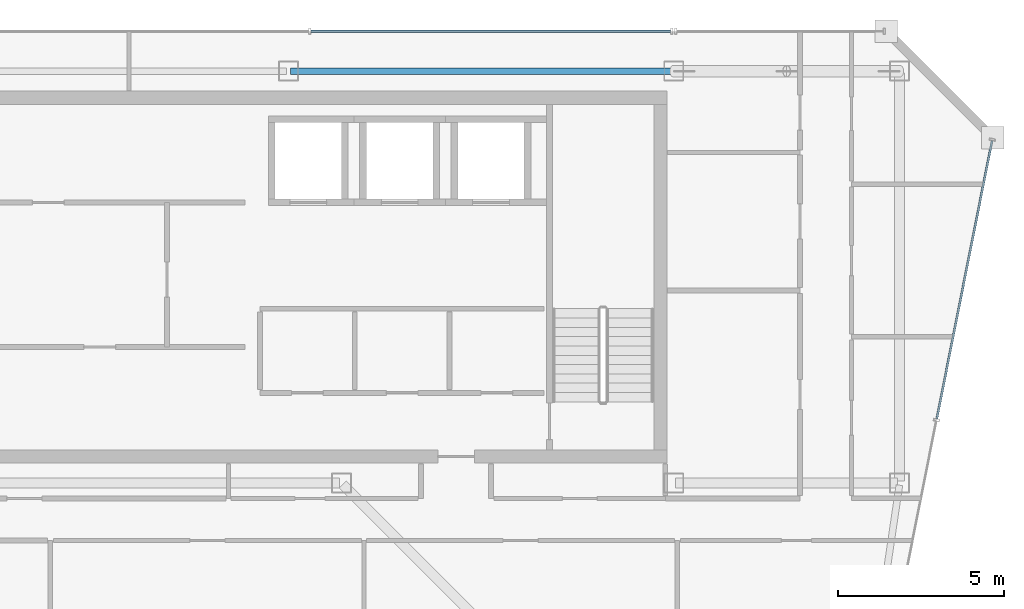
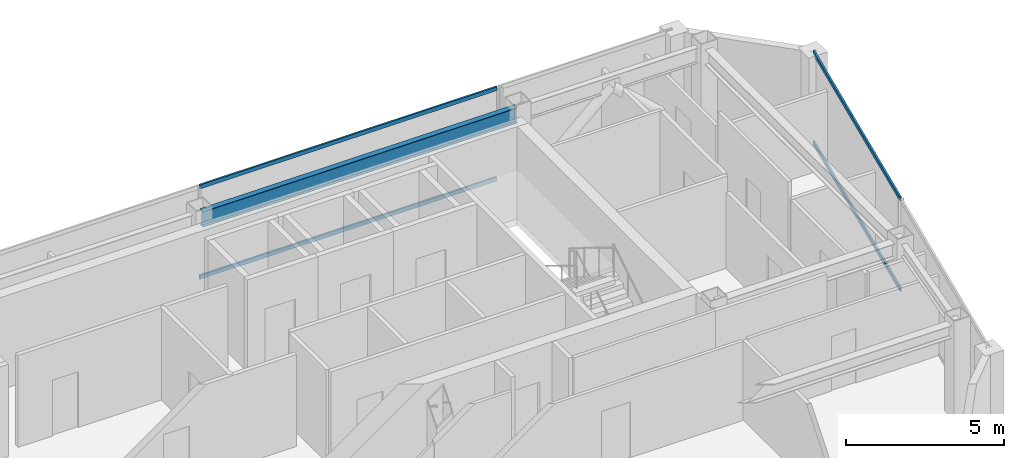
# One storey, part 15 of 24: 4 members, 1 beam, 2 elements without a shape of their own.
"""IFC4 building model written with IfcOpenShell, lengths in metres."""

from ifc_helpers import new_model, si_unit, direction, frame, origin, origin_2d, place, context, subcontext, project, spatial, hollow_rectangle, i_section, extrude, material, material_profile, profile_set, type_object, element, aggregate, save


model = new_model("IFC4")

# Units and contexts
model_context = context("Model", 3, precision=1e-05, world=origin(), true_north=direction((0.0, 1.0)))
body_context = subcontext(model_context, "Body", "Model", "MODEL_VIEW")
ifc_project = project(units=[si_unit("LENGTHUNIT", "METRE"), si_unit("AREAUNIT", "SQUARE_METRE"), si_unit("VOLUMEUNIT", "CUBIC_METRE"), si_unit("PLANEANGLEUNIT", "RADIAN"), si_unit("MASSUNIT", "GRAM", prefix="KILO")], contexts=[model_context])

# Site, building, storey
site_placement = place(None, origin())
site = spatial("IfcSite", under=ifc_project, at=site_placement, CompositionType="ELEMENT")
building_placement = place(site_placement, origin())
building = spatial("IfcBuilding", under=site, at=building_placement, Name="Saevonmaru Cultural Tower", CompositionType="ELEMENT")
storey_placement = place(building_placement, frame((0.0, 0.0, 299.0)))
storey = spatial("IfcBuildingStorey", under=building, at=storey_placement, Name="L71", CompositionType="ELEMENT", Elevation=299.0)

# Beam
ifc_material_1 = material(Name="Steel SM355", Category="steel")
ifc_material_profile_1 = material_profile(ifc_material_1, i_section(OverallWidth=0.199951171875, OverallDepth=0.60009765625, WebThickness=0.010986328125, FlangeThickness=0.01708984375, FilletRadius=0.02197265625, at=origin_2d()), Name="H-600x200x11x17")
ifc_profile_set_1 = profile_set([ifc_material_profile_1], Name="Steel SM355")
beam_type = type_object("IfcBeamType", Name="BM-SP-H600", PredefinedType="SPANDREL", material=ifc_profile_set_1)
beam_placement = place(storey_placement, frame((34.860107421875, 54.800048828125, 3.25), z_axis=(1.0, 0.0, 0.0), x_axis=(0.0, 1.0, 0.0)))
element("IfcBeam", 1, at=beam_placement, inside=storey, type_object=beam_type, Name="L71 North Spine Girder 4", PredefinedType="SPANDREL", context=body_context, shape_type="SweptSolid", body=[
    extrude(i_section(OverallWidth=0.199951171875, OverallDepth=0.60009765625, WebThickness=0.010986328125, FlangeThickness=0.01708984375, FilletRadius=0.02197265625, at=origin_2d()), origin(), (0.0, 0.0, 1.0), 11.47998046875),
])

# Curtain wall, members
ifc_material_2 = material(Name="Satin Bronze Anodised Aluminium", Category="aluminium")
curtain_wall_type = type_object("IfcCurtainWallType", Name="CW-TYP-B", PredefinedType="NOTDEFINED", material=ifc_material_2)
curtain_wall_1_placement = place(storey_placement, origin())
curtain_wall_1 = element("IfcCurtainWall", 2, at=curtain_wall_1_placement, inside=storey, type_object=curtain_wall_type, Name="L71 Unitised Curtain Wall E8", PredefinedType="NOTDEFINED")
ifc_material_profile_2 = material_profile(ifc_material_2, hollow_rectangle(XDim=0.06494140625, YDim=0.14990234375, WallThickness=0.00390625, at=origin_2d()), Name="ALU-TRAN-150x65x4")
ifc_profile_set_2 = profile_set([ifc_material_profile_2], Name="Satin Bronze Anodised Aluminium")
member_type = type_object("IfcMemberType", Name="TR-CW-150x65", PredefinedType="USERDEFINED", material=ifc_profile_set_2)
member_1_placement = place(storey_placement, frame((54.31640625, 44.331787109375, 0.032470703125), z_axis=(0.194994665552, 0.980804302808, 0.0), x_axis=(-0.980804302808, 0.194994665552, 0.0)))
member_1 = element("IfcMember", 3, at=member_1_placement, type_object=member_type, Name="CW-TW-L71-E8 transom 2.1", ObjectType="TRANSOM", PredefinedType="USERDEFINED", context=body_context, shape_type="SweptSolid", body=[
    extrude(hollow_rectangle(XDim=0.06494140625, YDim=0.14990234375, WallThickness=0.00390625, at=origin_2d()), origin(), (0.0, 0.0, 1.0), 8.54150390625),
])
member_2_placement = place(storey_placement, frame((54.31640625, 44.331787109375, 3.517578125), z_axis=(0.194994665552, 0.980804302808, 0.0), x_axis=(-0.980804302808, 0.194994665552, 0.0)))
member_2 = element("IfcMember", 4, at=member_2_placement, type_object=member_type, Name="CW-TW-L71-E8 transom 2.2", ObjectType="TRANSOM", PredefinedType="USERDEFINED", context=body_context, shape_type="SweptSolid", body=[
    extrude(hollow_rectangle(XDim=0.06494140625, YDim=0.14990234375, WallThickness=0.00390625, at=origin_2d()), origin(), (0.0, 0.0, 1.0), 8.54150390625),
])
aggregate(curtain_wall_1, [member_1, member_2])

curtain_wall_2_placement = place(storey_placement, origin())
curtain_wall_2 = element("IfcCurtainWall", 5, at=curtain_wall_2_placement, inside=storey, type_object=curtain_wall_type, Name="L71 North Spine Unitised Curtain Wall E10B", PredefinedType="NOTDEFINED")
member_3_placement = place(storey_placement, frame((46.3076171875, 56.0, 0.032470703125), z_axis=(-1.0, 0.0, 0.0), x_axis=(0.0, -1.0, 0.0)))
member_3 = element("IfcMember", 6, at=member_3_placement, type_object=member_type, Name="CW-TW-L71-E10B transom 1.1", ObjectType="TRANSOM", PredefinedType="USERDEFINED", context=body_context, shape_type="SweptSolid", body=[
    extrude(hollow_rectangle(XDim=0.06494140625, YDim=0.14990234375, WallThickness=0.00390625, at=origin_2d()), origin(), (0.0, 0.0, 1.0), 10.828369140625),
])
member_4_placement = place(storey_placement, frame((46.3076171875, 56.0, 3.517578125), z_axis=(-1.0, 0.0, 0.0), x_axis=(0.0, -1.0, 0.0)))
member_4 = element("IfcMember", 7, at=member_4_placement, type_object=member_type, Name="CW-TW-L71-E10B transom 1.2", ObjectType="TRANSOM", PredefinedType="USERDEFINED", context=body_context, shape_type="SweptSolid", body=[
    extrude(hollow_rectangle(XDim=0.06494140625, YDim=0.14990234375, WallThickness=0.00390625, at=origin_2d()), origin(), (0.0, 0.0, 1.0), 10.828369140625),
])
aggregate(curtain_wall_2, [member_3, member_4])

save(model, "model.ifc")
